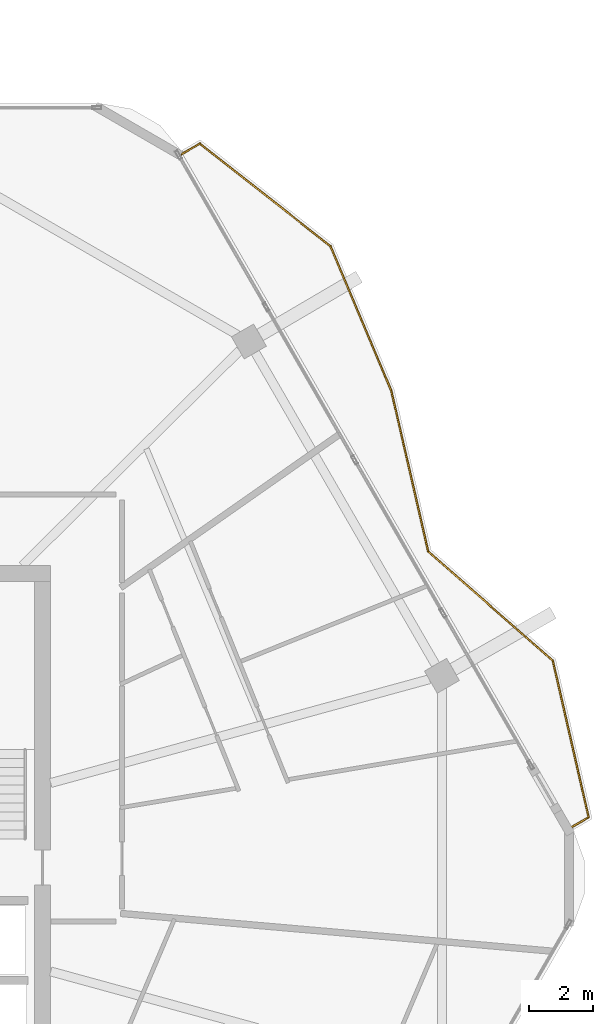
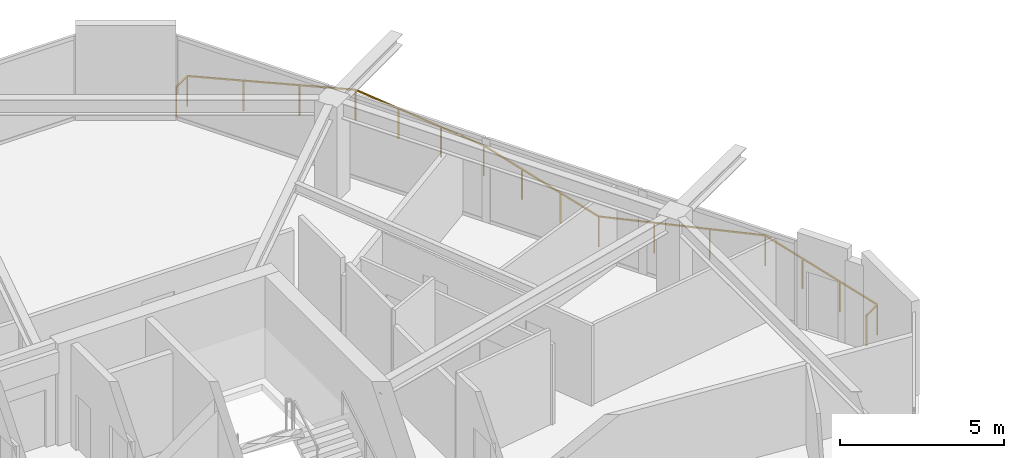
# One storey, part 21 of 21: 1 railing.
"""IFC4 building model written with IfcOpenShell, lengths in metres."""

import ifcopenshell
import ifcopenshell.guid

model = None  # the IFC model being written
_history = None  # IfcOwnerHistory: only IFC2X3 demands one
_inside = {}  # id of a spatial element -> (the spatial element, [elements in it])
_under = {}  # id of a project, library or spatial element -> (it, [spatial elements below it])
_declared = {}  # id of a project -> (the project, [libraries it declares])
_typed = {}  # id of a type object -> (the type object, [elements of that type])
_made_of = {}  # id of a material, layer set ... -> (it, [elements and type objects made of it])


def new_model(schema):
    """Start an empty IFC model of exactly this schema.

    Asked for "IFC4X3", IfcOpenShell would pick the latest addendum, in which some entities
    have other attributes; the version numbers below select the first issue.
    IFC2X3 requires an IfcOwnerHistory on every rooted entity: one is made here for all.
    """
    global model, _history
    if schema == "IFC4X3":
        model = ifcopenshell.file(schema_version=(4, 3, 0, 0))
    else:
        model = ifcopenshell.file(schema=schema)
    _inside.clear()
    _under.clear()
    _declared.clear()
    _typed.clear()
    _made_of.clear()
    _history = None
    if model.schema == "IFC2X3":
        org = make("IfcOrganization", Name="unknown")
        user = make(
            "IfcPersonAndOrganization",
            ThePerson=make("IfcPerson", FamilyName="unknown"),
            TheOrganization=org,
        )
        app = make(
            "IfcApplication",
            ApplicationDeveloper=org,
            Version="unknown",
            ApplicationFullName="unknown",
            ApplicationIdentifier="unknown",
        )
        _history = make(
            "IfcOwnerHistory",
            OwningUser=user,
            OwningApplication=app,
            ChangeAction="ADDED",
            CreationDate=0,
        )
    return model


def make(cls, **values):
    """One entity of the class cls with the attributes given. An attribute that is None is left unset."""
    return model.create_entity(
        cls, **{name: value for name, value in values.items() if value is not None}
    )


def rooted(cls, **values):
    """An entity with a GlobalId (a new one), such as an element, a storey or a relation."""
    return make(cls, GlobalId=ifcopenshell.guid.new(), OwnerHistory=_history, **values)


def si_unit(unit_type, name, prefix=None):
    """IfcSIUnit, for example si_unit("LENGTHUNIT", "METRE", prefix="MILLI")."""
    return make("IfcSIUnit", UnitType=unit_type, Prefix=prefix, Name=name)


def assignment(units):
    """IfcUnitAssignment: the units of a project."""
    return None if units is None else make("IfcUnitAssignment", Units=units)


def point(xyz):
    """IfcCartesianPoint."""
    return None if xyz is None else make("IfcCartesianPoint", Coordinates=xyz)


def direction(xyz):
    """IfcDirection."""
    return None if xyz is None else make("IfcDirection", DirectionRatios=xyz)


def frame(location, z_axis=None, x_axis=None):
    """IfcAxis2Placement3D, a coordinate frame: its origin and axes. An axis left out is left unset."""
    return make(
        "IfcAxis2Placement3D",
        Location=point(location),
        Axis=direction(z_axis),
        RefDirection=direction(x_axis),
    )


def frame_2d(location, x_axis=None):
    """IfcAxis2Placement2D, a coordinate frame in the plane: its origin and x axis."""
    return make(
        "IfcAxis2Placement2D", Location=point(location), RefDirection=direction(x_axis)
    )


def origin():
    """The frame at (0, 0, 0) with its axes left unset."""
    return frame((0.0, 0.0, 0.0))


def origin_2d():
    """The frame at (0, 0) in the plane with its x axis left unset."""
    return frame_2d((0.0, 0.0))


def place(relative_to, where):
    """IfcLocalPlacement: puts the frame where relative to a parent placement (None: the world)."""
    return make(
        "IfcLocalPlacement", PlacementRelTo=relative_to, RelativePlacement=where
    )


def context(
    kind, dimensions, precision=None, world=None, true_north=None, identifier=None
):
    """IfcGeometricRepresentationContext, for example the 3D "Model" context."""
    return make(
        "IfcGeometricRepresentationContext",
        ContextIdentifier=identifier,
        ContextType=kind,
        CoordinateSpaceDimension=dimensions,
        Precision=precision,
        WorldCoordinateSystem=world,
        TrueNorth=true_north,
    )


def subcontext(parent, identifier, kind, view, scale=None):
    """IfcGeometricRepresentationSubContext, for example "Body" below "Model"."""
    return make(
        "IfcGeometricRepresentationSubContext",
        ContextIdentifier=identifier,
        ContextType=kind,
        ParentContext=parent,
        TargetScale=scale,
        TargetView=view,
    )


def project(units=None, contexts=None):
    """IfcProject with its units and contexts."""
    return rooted(
        "IfcProject",
        Name="project",
        RepresentationContexts=contexts,
        UnitsInContext=assignment(units),
    )


def spatial(cls, under=None, at=None, **own):
    """A site, building, storey or space (cls), placed at a placement, below another one or the project."""
    s = rooted(cls, ObjectPlacement=at, **own)
    if under is not None:
        _under.setdefault(under.id(), (under, []))[1].append(s)
    return s


def profile(cls, at=None, kind="AREA", **sizes):
    """A parametric profile (cls). Its sizes go by their IFC names, for example OverallWidth=200.0."""
    return make(cls, ProfileType=kind, Position=at, **sizes)


def rectangle(**sizes):
    """IfcRectangleProfileDef."""
    return profile("IfcRectangleProfileDef", **sizes)


def extrude(swept, where, along, depth):
    """IfcExtrudedAreaSolid: the profile swept, set in the frame where, extruded along a direction by depth."""
    return make(
        "IfcExtrudedAreaSolid",
        SweptArea=swept,
        Position=where,
        ExtrudedDirection=direction(along),
        Depth=depth,
    )


def shape(context_of_items, identifier, shape_type, items):
    """IfcShapeRepresentation: the items that make up one representation, for example the "Body"."""
    return make(
        "IfcShapeRepresentation",
        ContextOfItems=context_of_items,
        RepresentationIdentifier=identifier,
        RepresentationType=shape_type,
        Items=items,
    )


def material(Name=None, Category=None):
    """IfcMaterial."""
    return make("IfcMaterial", Name=Name, Category=Category)


def made_of(thing, what):
    """Note that an element or type object is made of a material, layer set ...; save() writes the relation."""
    if what is not None:
        _made_of.setdefault(what.id(), (what, []))[1].append(thing)
    return thing


def type_object(cls, material=None, **own):
    """A type object (cls), such as IfcWallType, which elements share."""
    return made_of(rooted(cls, **own), material)


def element(
    cls,
    number,
    at=None,
    inside=None,
    cuts=None,
    type_object=None,
    material=None,
    context=None,
    identifier="Body",
    shape_type=None,
    held_by="IfcProductDefinitionShape",
    body=None,
    shapes=None,
    **own,
):
    """One element of the class cls, such as IfcWall. Its Tag is "e" and its number.

    at: its placement. inside: the storey or other place that contains it. cuts: it is an
    opening in that element (IfcRelVoidsElement). A single representation is given by context,
    identifier, shape_type and body (its items); several are given by shapes. held_by: the class
    of the entity that holds the representations. save() writes the other relations.
    """
    e = rooted(cls, Tag="e%d" % number, ObjectPlacement=at, **own)
    if body is not None:
        shapes = [shape(context, identifier, shape_type, body)]
    if shapes is not None:
        e.Representation = make(held_by, Representations=shapes)
    if inside is not None:
        _inside.setdefault(inside.id(), (inside, []))[1].append(e)
    if cuts is not None:
        rooted(
            "IfcRelVoidsElement", RelatingBuildingElement=cuts, RelatedOpeningElement=e
        )
    if type_object is not None:
        _typed.setdefault(type_object.id(), (type_object, []))[1].append(e)
    return made_of(e, material)


def aggregate(whole, parts):
    """IfcRelAggregates: a whole, such as a stair, and the parts it consists of."""
    return rooted("IfcRelAggregates", RelatingObject=whole, RelatedObjects=parts)


def save(model, path):
    """Write the relations noted so far, then the file.

    IfcRelAggregates (storeys below a building ...), IfcRelContainedInSpatialStructure (elements
    in a storey), IfcRelDefinesByType, IfcRelAssociatesMaterial and IfcRelDeclares: one each for
    every whole, place, type object, material and project.
    """
    for whole, parts in _under.values():
        aggregate(whole, parts)
    for where, things in _inside.values():
        rooted(
            "IfcRelContainedInSpatialStructure",
            RelatedElements=things,
            RelatingStructure=where,
        )
    for kind, things in _typed.values():
        rooted("IfcRelDefinesByType", RelatedObjects=things, RelatingType=kind)
    for what, things in _made_of.values():
        rooted("IfcRelAssociatesMaterial", RelatedObjects=things, RelatingMaterial=what)
    for by, libraries in _declared.values():
        rooted("IfcRelDeclares", RelatingContext=by, RelatedDefinitions=libraries)
    model.write(path)


model = new_model("IFC4")

# Units and contexts
model_context = context("Model", 3, precision=1e-05, world=origin(), true_north=direction((0.0, 1.0)))
body_context = subcontext(model_context, "Body", "Model", "MODEL_VIEW")
ifc_project = project(units=[si_unit("LENGTHUNIT", "METRE"), si_unit("AREAUNIT", "SQUARE_METRE"), si_unit("VOLUMEUNIT", "CUBIC_METRE"), si_unit("PLANEANGLEUNIT", "RADIAN"), si_unit("MASSUNIT", "GRAM", prefix="KILO")], contexts=[model_context])

# Site, building, storey
site_placement = place(None, origin())
site = spatial("IfcSite", under=ifc_project, at=site_placement, CompositionType="ELEMENT")
building_placement = place(site_placement, origin())
building = spatial("IfcBuilding", under=site, at=building_placement, Name="Zuhravey Tower", CompositionType="ELEMENT")
storey_placement = place(building_placement, frame((0.0, 0.0, 319.60009765625)))
storey = spatial("IfcBuildingStorey", under=building, at=storey_placement, Name="L81", CompositionType="ELEMENT", Elevation=319.60009765625)

# Railing
ifc_material = material(Name="Stainless steel 316 and laminated glass", Category="steel")
railing_type = type_object("IfcRailingType", Name="Balcony & Terrace Guardrail 1150", PredefinedType="BALUSTRADE", material=ifc_material)
railing_placement = place(storey_placement, frame((50.83837890625, 54.617431640625, 0.0)))
element("IfcRailing", 1, at=railing_placement, inside=storey, type_object=railing_type, Name="L81 Face 1 Wave Balcony Guardrail GR1", PredefinedType="BALUSTRADE", context=body_context, shape_type="SweptSolid", body=[
    extrude(rectangle(XDim=0.048095703125, YDim=0.048095703125, at=origin_2d()), frame((0.001708984375, 0.0009765625, 1.1259765625), z_axis=(0.865931497966, 0.500162614387, 0.0), x_axis=(-0.500162614387, 0.865931497966, 0.0)), (0.0, 0.0, 1.0), 0.668212890625),
    extrude(rectangle(XDim=0.048095703125, YDim=0.048095703125, at=origin_2d()), frame((0.58349609375, 0.3349609375, 1.1259765625), z_axis=(0.786315076181, -0.617825704362, 0.0), x_axis=(0.617825704362, 0.786315076181, 0.0)), (0.0, 0.0, 1.0), 5.189208984375),
    extrude(rectangle(XDim=0.048095703125, YDim=0.048095703125, at=origin_2d()), frame((4.666259765625, -2.874267578125, 1.1259765625), z_axis=(0.388085890144, -0.921623210358, 0.0), x_axis=(0.921623210358, 0.388085890144, 0.0)), (0.0, 0.0, 1.0), 4.9072265625),
    extrude(rectangle(XDim=0.048095703125, YDim=0.048095703125, at=origin_2d()), frame((6.572021484375, -7.400634765625, 1.1259765625), z_axis=(0.223777192002, -0.97464032768, 0.0), x_axis=(0.97464032768, 0.223777192002, 0.0)), (0.0, 0.0, 1.0), 5.153076171875),
    extrude(rectangle(XDim=0.048095703125, YDim=0.048095703125, at=origin_2d()), frame((7.72705078125, -12.42626953125, 1.1259765625), z_axis=(0.752068744007, -0.659084671561, 0.0), x_axis=(0.659084671561, 0.752068744007, 0.0)), (0.0, 0.0, 1.0), 5.178955078125),
    extrude(rectangle(XDim=0.048095703125, YDim=0.048095703125, at=origin_2d()), frame((11.6240234375, -15.843017578125, 1.1259765625), z_axis=(0.22305419024, -0.974806046461, 0.0), x_axis=(0.974806046461, 0.22305419024, 0.0)), (0.0, 0.0, 1.0), 5.0244140625),
    extrude(rectangle(XDim=0.048095703125, YDim=0.048095703125, at=origin_2d()), frame((12.743408203125, -20.74365234375, 1.1259765625), z_axis=(-0.865910926182, -0.500198228624, 0.0), x_axis=(0.500198228624, -0.865910926182, 0.0)), (0.0, 0.0, 1.0), 0.662353515625),
    extrude(rectangle(XDim=0.0419921875, YDim=0.0419921875, at=origin_2d()), origin(), (0.0, 0.0, 1.0), 1.099853515625),
    extrude(rectangle(XDim=0.0419921875, YDim=0.0419921875, at=origin_2d()), frame((0.58203125, 0.336181640625, 0.0)), (0.0, 0.0, 1.0), 1.099853515625),
    extrude(rectangle(XDim=0.0419921875, YDim=0.0419921875, at=origin_2d()), frame((1.943115234375, -0.7333984375, 0.0)), (0.0, 0.0, 1.0), 1.099853515625),
    extrude(rectangle(XDim=0.0419921875, YDim=0.0419921875, at=origin_2d()), frame((3.304443359375, -1.802734375, 0.0)), (0.0, 0.0, 1.0), 1.099853515625),
    extrude(rectangle(XDim=0.0419921875, YDim=0.0419921875, at=origin_2d()), frame((4.66552734375, -2.872314453125, 0.0)), (0.0, 0.0, 1.0), 1.099853515625),
    extrude(rectangle(XDim=0.0419921875, YDim=0.0419921875, at=origin_2d()), frame((5.30078125, -4.381103515625, 0.0)), (0.0, 0.0, 1.0), 1.099853515625),
    extrude(rectangle(XDim=0.0419921875, YDim=0.0419921875, at=origin_2d()), frame((5.936279296875, -5.889892578125, 0.0)), (0.0, 0.0, 1.0), 1.099853515625),
    extrude(rectangle(XDim=0.0419921875, YDim=0.0419921875, at=origin_2d()), frame((6.571533203125, -7.398681640625, 0.0)), (0.0, 0.0, 1.0), 1.099853515625),
    extrude(rectangle(XDim=0.0419921875, YDim=0.0419921875, at=origin_2d()), frame((6.956298828125, -9.07421875, 0.0)), (0.0, 0.0, 1.0), 1.099853515625),
    extrude(rectangle(XDim=0.0419921875, YDim=0.0419921875, at=origin_2d()), frame((7.3408203125, -10.74951171875, 0.0)), (0.0, 0.0, 1.0), 1.099853515625),
    extrude(rectangle(XDim=0.0419921875, YDim=0.0419921875, at=origin_2d()), frame((7.7255859375, -12.425048828125, 0.0)), (0.0, 0.0, 1.0), 1.099853515625),
    extrude(rectangle(XDim=0.0419921875, YDim=0.0419921875, at=origin_2d()), frame((9.02490234375, -13.563720703125, 0.0)), (0.0, 0.0, 1.0), 1.099853515625),
    extrude(rectangle(XDim=0.0419921875, YDim=0.0419921875, at=origin_2d()), frame((10.32421875, -14.702392578125, 0.0)), (0.0, 0.0, 1.0), 1.099853515625),
    extrude(rectangle(XDim=0.0419921875, YDim=0.0419921875, at=origin_2d()), frame((11.62353515625, -15.841064453125, 0.0)), (0.0, 0.0, 1.0), 1.099853515625),
    extrude(rectangle(XDim=0.0419921875, YDim=0.0419921875, at=origin_2d()), frame((11.997314453125, -17.474853515625, 0.0)), (0.0, 0.0, 1.0), 1.099853515625),
    extrude(rectangle(XDim=0.0419921875, YDim=0.0419921875, at=origin_2d()), frame((12.371337890625, -19.10888671875, 0.0)), (0.0, 0.0, 1.0), 1.099853515625),
    extrude(rectangle(XDim=0.0419921875, YDim=0.0419921875, at=origin_2d()), frame((12.7451171875, -20.74267578125, 0.0)), (0.0, 0.0, 1.0), 1.099853515625),
    extrude(rectangle(XDim=0.0419921875, YDim=0.0419921875, at=origin_2d()), frame((12.168212890625, -21.075927734375, 0.0)), (0.0, 0.0, 1.0), 1.099853515625),
])

save(model, "model.ifc")
